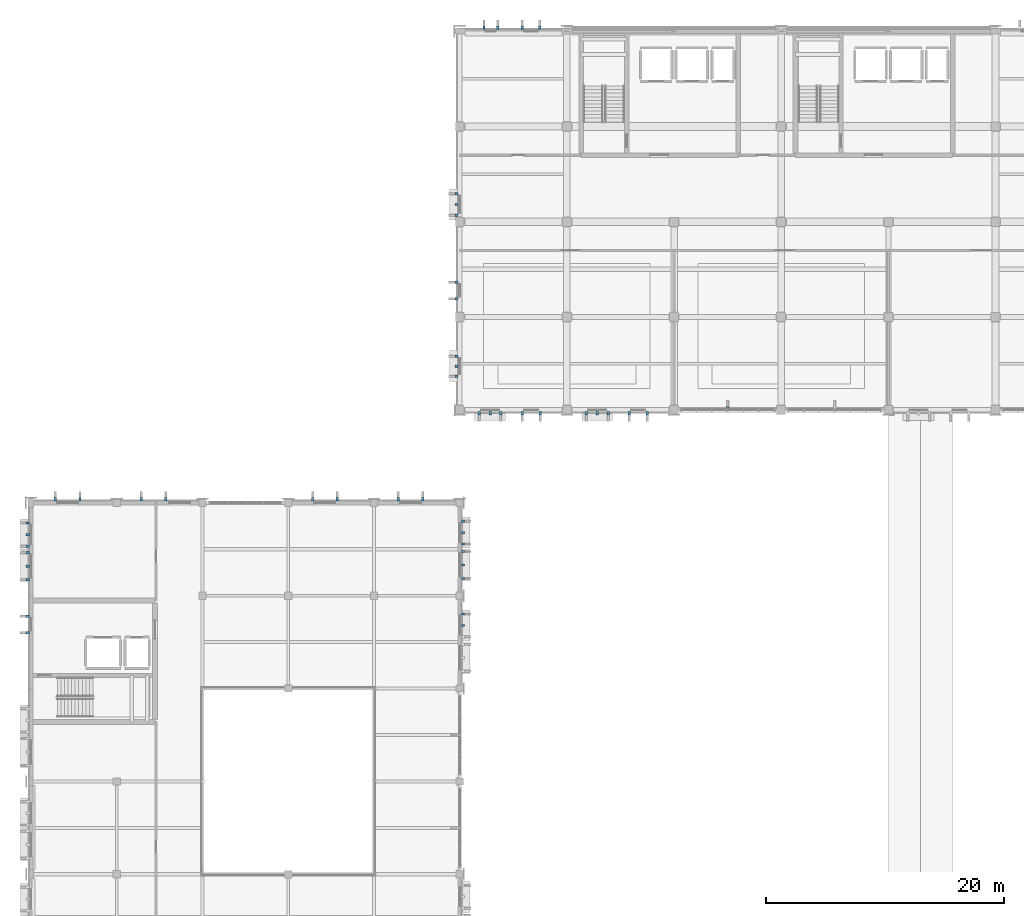
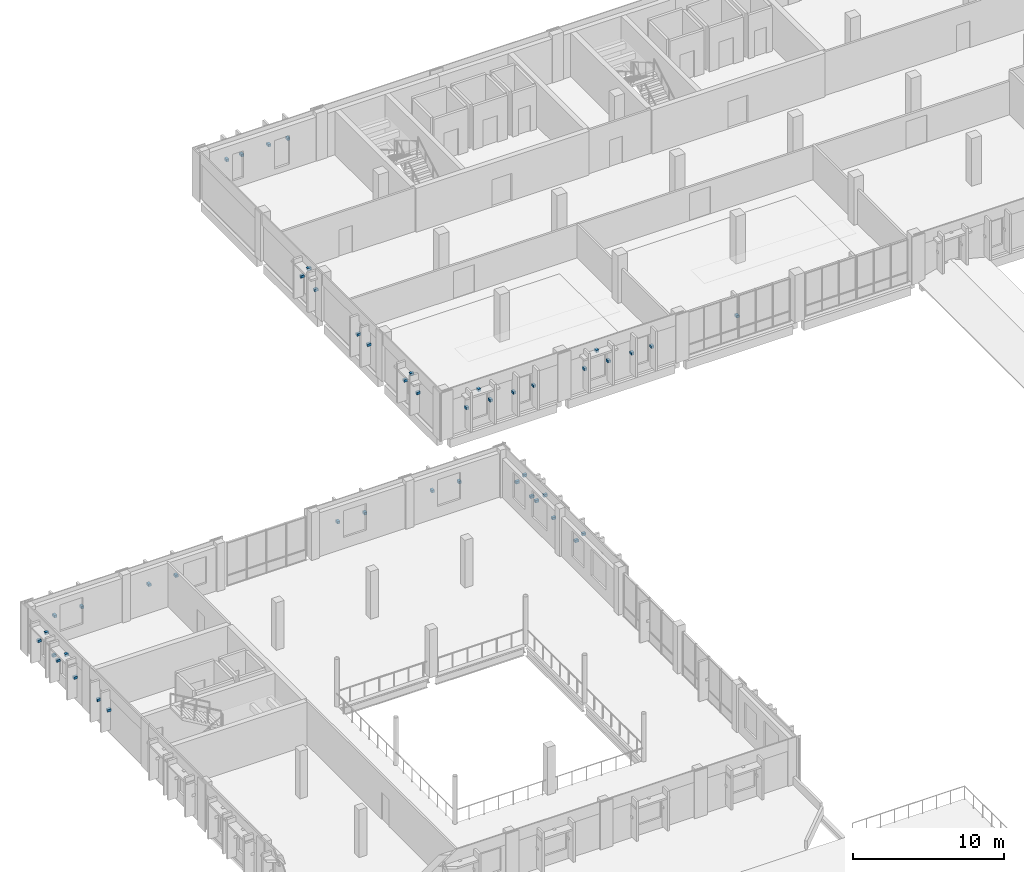
# One storey, part 50 of 64: 47 discrete accessories.
"""IFC4 building model written with IfcOpenShell, lengths in metres."""

from ifc_helpers import new_model, si_unit, direction, frame, origin, origin_2d, place, context, subcontext, project, spatial, rectangle, extrude, material, type_object, element, save


model = new_model("IFC4")

# Units and contexts
model_context = context("Model", 3, precision=1e-05, world=origin(), true_north=direction((0.0, 1.0)))
body_context = subcontext(model_context, "Body", "Model", "MODEL_VIEW")
ifc_project = project(units=[si_unit("LENGTHUNIT", "METRE"), si_unit("AREAUNIT", "SQUARE_METRE"), si_unit("VOLUMEUNIT", "CUBIC_METRE"), si_unit("PLANEANGLEUNIT", "RADIAN"), si_unit("MASSUNIT", "GRAM", prefix="KILO")], contexts=[model_context])

# Site, building, storey
site_placement = place(None, origin())
site = spatial("IfcSite", under=ifc_project, at=site_placement, CompositionType="ELEMENT")
building_placement = place(site_placement, origin())
building = spatial("IfcBuilding", under=site, at=building_placement, Name="Vervanel Yard Central Library", CompositionType="ELEMENT")
storey_placement = place(building_placement, frame((0.0, 0.0, 8.93994140625)))
storey = spatial("IfcBuildingStorey", under=building, at=storey_placement, Name="L02", CompositionType="ELEMENT", Elevation=8.93994140625)

# Discrete accessories
ifc_material = material(Name="Steel ASTM A572 Grade 50", Category="steel")
discrete_accessory_type = type_object("IfcDiscreteAccessoryType", Name="Stainless Solar Fin Fixing Bracket", PredefinedType="BRACKET", material=ifc_material)
for number, where, z_axis, x_axis, name in (
    (1, (38.0400390625, 114.31005859375, 2.02490234375), (0.0, 0.0, 1.0), (1.0, 0.0, 0.0), "L02 Solar Fin Bracket 92"),
    (2, (39.179931640625, 114.31005859375, 2.02490234375), (0.0, 0.0, 1.0), (1.0, 0.0, 0.0), "L02 Solar Fin Bracket 93"),
    (3, (41.239990234375, 114.31005859375, 2.10009765625), (0.0, 0.0, 1.0), (1.0, 0.0, 0.0), "L02 Solar Fin Bracket 94"),
    (4, (42.7099609375, 114.31005859375, 2.10009765625), (0.0, 0.0, 1.0), (1.0, 0.0, 0.0), "L02 Solar Fin Bracket 95"),
    (5, (37.639892578125, 81.909912109375, 1.80029296875), (0.0, 0.0, 1.0), (1.0, 0.0, 0.0), "L02 Solar Fin Bracket 104"),
    (6, (39.4599609375, 81.909912109375, 1.80029296875), (0.0, 0.0, 1.0), (1.0, 0.0, 0.0), "L02 Solar Fin Bracket 105"),
    (7, (38.550048828125, 81.909912109375, 2.9501953125), (0.0, 0.0, 1.0), (1.0, 0.0, 0.0), "L02 Sunhood Bracket 12"),
    (8, (41.239990234375, 81.909912109375, 1.80029296875), (0.0, 0.0, 1.0), (1.0, 0.0, 0.0), "L02 Solar Fin Bracket 106"),
    (9, (42.760009765625, 81.909912109375, 1.80029296875), (0.0, 0.0, 1.0), (1.0, 0.0, 0.0), "L02 Solar Fin Bracket 107"),
    (10, (46.639892578125, 81.909912109375, 1.80029296875), (0.0, 0.0, 1.0), (1.0, 0.0, 0.0), "L02 Solar Fin Bracket 108"),
    (11, (48.4599609375, 81.909912109375, 1.80029296875), (0.0, 0.0, 1.0), (1.0, 0.0, 0.0), "L02 Solar Fin Bracket 109"),
    (12, (47.550048828125, 81.909912109375, 2.9501953125), (0.0, 0.0, 1.0), (1.0, 0.0, 0.0), "L02 Sunhood Bracket 13"),
    (13, (50.239990234375, 81.909912109375, 1.80029296875), (0.0, 0.0, 1.0), (1.0, 0.0, 0.0), "L02 Solar Fin Bracket 110"),
    (14, (51.760009765625, 81.909912109375, 1.80029296875), (0.0, 0.0, 1.0), (1.0, 0.0, 0.0), "L02 Solar Fin Bracket 111"),
    (15, (58.5, 82.330078125, 1.6552734375), (0.0, 0.0, 1.0), (1.0, 0.0, 0.0), "L02 Solar Fin Bracket 112"),
    (16, (35.72998046875, 85.0400390625, 1.77490234375), (0.0, 0.0, 1.0), (0.0, 1.0, 0.0), "L02 Solar Fin Bracket 119"),
    (17, (35.72998046875, 86.7099609375, 1.77490234375), (0.0, 0.0, 1.0), (0.0, 1.0, 0.0), "L02 Solar Fin Bracket 120"),
    (18, (35.72998046875, 85.875, 2.80029296875), (0.0, 0.0, 1.0), (0.0, 1.0, 0.0), "L02 Sunhood Bracket 15"),
    (19, (35.72998046875, 91.5400390625, 1.72509765625), (0.0, 0.0, 1.0), (0.0, 1.0, 0.0), "L02 Solar Fin Bracket 121"),
    (20, (35.72998046875, 92.909912109375, 1.72509765625), (0.0, 0.0, 1.0), (0.0, 1.0, 0.0), "L02 Solar Fin Bracket 122"),
    (21, (35.72998046875, 98.5400390625, 1.89990234375), (0.0, 0.0, 1.0), (0.0, 1.0, 0.0), "L02 Solar Fin Bracket 123"),
    (22, (35.72998046875, 100.360107421875, 1.89990234375), (0.0, 0.0, 1.0), (0.0, 1.0, 0.0), "L02 Solar Fin Bracket 124"),
    (23, (35.72998046875, 99.449951171875, 3.05029296875), (0.0, 0.0, 1.0), (0.0, 1.0, 0.0), "L02 Sunhood Bracket 16"),
    (24, (-0.2900390625, 63.489990234375, 1.875), (0.0, 0.0, 1.0), (0.0, 1.0, 0.0), "L02 Solar Fin Bracket 319"),
    (25, (-0.2900390625, 64.860107421875, 1.875), (0.0, 0.0, 1.0), (0.0, 1.0, 0.0), "L02 Solar Fin Bracket 320"),
    (26, (-0.2900390625, 67.93994140625, 1.80029296875), (0.0, 0.0, 1.0), (0.0, 1.0, 0.0), "L02 Solar Fin Bracket 321"),
    (27, (-0.2900390625, 70.2099609375, 1.80029296875), (0.0, 0.0, 1.0), (0.0, 1.0, 0.0), "L02 Solar Fin Bracket 322"),
    (28, (-0.2900390625, 69.074951171875, 2.9501953125), (0.0, 0.0, 1.0), (0.0, 1.0, 0.0), "L02 Sunhood Bracket 60"),
    (29, (-0.2900390625, 70.739990234375, 1.875), (0.0, 0.0, 1.0), (0.0, 1.0, 0.0), "L02 Solar Fin Bracket 323"),
    (30, (-0.2900390625, 72.7099609375, 1.875), (0.0, 0.0, 1.0), (0.0, 1.0, 0.0), "L02 Solar Fin Bracket 324"),
    (31, (-0.2900390625, 71.72509765625, 3.10009765625), (0.0, 0.0, 1.0), (0.0, 1.0, 0.0), "L02 Sunhood Bracket 61"),
    (32, (36.27001953125, 65.06005859375, 1.77490234375), (0.0, 0.0, 1.0), (0.0, 1.0, 0.0), "L02 Solar Fin Bracket 334"),
    (33, (36.27001953125, 64.10009765625, 2.89990234375), (0.0, 0.0, 1.0), (0.0, 1.0, 0.0), "L02 Sunhood Bracket 65"),
    (34, (36.27001953125, 68.0400390625, 1.80029296875), (0.0, 0.0, 1.0), (0.0, 1.0, 0.0), "L02 Solar Fin Bracket 335"),
    (35, (36.27001953125, 70.31005859375, 1.80029296875), (0.0, 0.0, 1.0), (0.0, 1.0, 0.0), "L02 Solar Fin Bracket 336"),
    (36, (36.27001953125, 69.175048828125, 2.9501953125), (0.0, 0.0, 1.0), (0.0, 1.0, 0.0), "L02 Sunhood Bracket 66"),
    (37, (36.27001953125, 70.93994140625, 1.77490234375), (0.0, 0.0, 1.0), (0.0, 1.0, 0.0), "L02 Solar Fin Bracket 337"),
    (38, (36.27001953125, 72.860107421875, 1.77490234375), (0.0, 0.0, 1.0), (0.0, 1.0, 0.0), "L02 Solar Fin Bracket 338"),
    (39, (36.27001953125, 71.89990234375, 2.89990234375), (0.0, 0.0, 1.0), (0.0, 1.0, 0.0), "L02 Sunhood Bracket 67"),
    (40, (2.0400390625, 74.68994140625, 1.875), (0.0, 0.0, 1.0), (1.0, 0.0, 0.0), "L02 Solar Fin Bracket 339"),
    (41, (4.110107421875, 74.68994140625, 1.875), (0.0, 0.0, 1.0), (1.0, 0.0, 0.0), "L02 Solar Fin Bracket 340"),
    (42, (9.239990234375, 74.68994140625, 1.875), (0.0, 0.0, 1.0), (1.0, 0.0, 0.0), "L02 Solar Fin Bracket 343"),
    (43, (11.31005859375, 74.68994140625, 1.875), (0.0, 0.0, 1.0), (1.0, 0.0, 0.0), "L02 Solar Fin Bracket 344"),
    (44, (23.639892578125, 74.68994140625, 1.875), (0.0, 0.0, 1.0), (1.0, 0.0, 0.0), "L02 Solar Fin Bracket 349"),
    (45, (25.7099609375, 74.68994140625, 1.875), (0.0, 0.0, 1.0), (1.0, 0.0, 0.0), "L02 Solar Fin Bracket 350"),
    (46, (30.840087890625, 74.68994140625, 1.875), (0.0, 0.0, 1.0), (1.0, 0.0, 0.0), "L02 Solar Fin Bracket 353"),
    (47, (32.909912109375, 74.68994140625, 1.875), (0.0, 0.0, 1.0), (1.0, 0.0, 0.0), "L02 Solar Fin Bracket 354"),
):
    element("IfcDiscreteAccessory", number, at=place(storey_placement, frame(where, z_axis=z_axis, x_axis=x_axis)), inside=storey, type_object=discrete_accessory_type, Name=name, PredefinedType="BRACKET", context=body_context, shape_type="SweptSolid", body=[
        extrude(rectangle(XDim=0.199951171875, YDim=0.280029296875, at=origin_2d()), origin(), (0.0, 0.0, 1.0), 0.199951171875),
    ])

save(model, "model.ifc")
